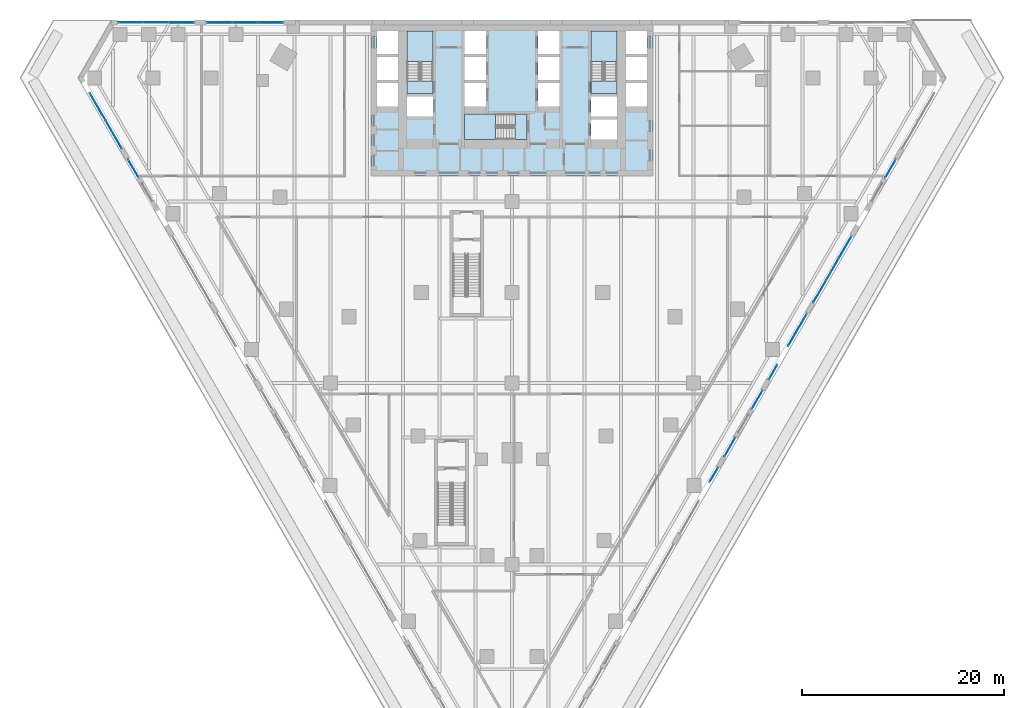
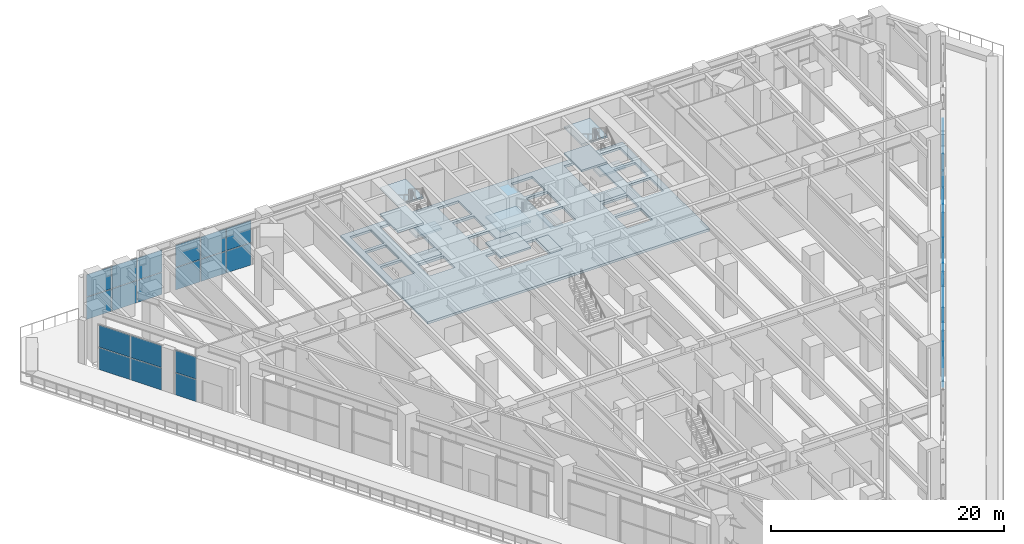
# One storey, part 19 of 30: 35 plates, 13 slabs, 14 elements without a shape of their own.
"""IFC4 building model written with IfcOpenShell, lengths in metres."""

from ifc_helpers import new_model, si_unit, direction, frame, origin, origin_2d, place, context, subcontext, project, spatial, polyline, rectangle, outline, extrude, material, layer, layer_set, type_object, element, aggregate, save


model = new_model("IFC4")

# Units and contexts
model_context = context("Model", 3, precision=1e-05, world=origin(), true_north=direction((0.0, 1.0)))
body_context = subcontext(model_context, "Body", "Model", "MODEL_VIEW")
ifc_project = project(units=[si_unit("LENGTHUNIT", "METRE"), si_unit("AREAUNIT", "SQUARE_METRE"), si_unit("VOLUMEUNIT", "CUBIC_METRE"), si_unit("PLANEANGLEUNIT", "RADIAN"), si_unit("MASSUNIT", "GRAM", prefix="KILO")], contexts=[model_context])

# Site, building, storey
site_placement = place(None, origin())
site = spatial("IfcSite", under=ifc_project, at=site_placement, CompositionType="ELEMENT")
building_placement = place(site_placement, origin())
building = spatial("IfcBuilding", under=site, at=building_placement, Name="Aloe Facet Convention Tower", CompositionType="ELEMENT")
storey_placement = place(building_placement, frame((0.0, 0.0, 19.5)))
storey = spatial("IfcBuildingStorey", under=building, at=storey_placement, Name="L03", CompositionType="ELEMENT", Elevation=19.5)

# Slabs
ifc_material_1 = material(Name="Concrete C80/95", Category="concrete")
ifc_layer_1 = layer(ifc_material_1, 0.25)
ifc_layer_set_1 = layer_set([ifc_layer_1], Name="CR-S-FLOOR250-C8095")
slab_type_1 = type_object("IfcSlabType", Name="CR-S-FLOOR250-C8095", PredefinedType="FLOOR", material=ifc_layer_set_1)
slab_1_placement = place(storey_placement, frame((0.0, 0.0, -0.25)))
element("IfcSlab", 1, at=slab_1_placement, inside=storey, type_object=slab_type_1, Name="Core floor L03", PredefinedType="FLOOR", context=body_context, shape_type="SweptSolid", body=[
    extrude(outline(polyline([(69.300048828125, 134.550048828125), (71.85009765625, 134.550048828125), (72.75, 134.550048828125), (74.699951171875, 134.550048828125), (75.60009765625, 134.550048828125), (77.10009765625, 134.550048828125), (78.0, 134.550048828125), (82.0, 134.550048828125), (82.89990234375, 134.550048828125), (84.39990234375, 134.550048828125), (85.300048828125, 134.550048828125), (87.25, 134.550048828125), (88.14990234375, 134.550048828125), (90.699951171875, 134.550048828125), (91.0, 134.550048828125), (94.0, 134.550048828125), (94.0, 131.949951171875), (94.0, 131.050048828125), (94.0, 129.35009765625), (94.0, 128.449951171875), (94.0, 126.449951171875), (94.0, 125.85009765625), (94.0, 123.57373046875), (94.0, 122.523681640625), (94.0, 119.550048828125), (91.300048828125, 119.550048828125), (90.699951171875, 119.550048828125), (89.60009765625, 119.550048828125), (88.550048828125, 119.550048828125), (87.89990234375, 119.550048828125), (86.85009765625, 119.550048828125), (85.699951171875, 119.550048828125), (84.64990234375, 119.550048828125), (83.699951171875, 119.550048828125), (82.64990234375, 119.550048828125), (81.75, 119.550048828125), (80.699951171875, 119.550048828125), (79.61669921875, 119.550048828125), (78.566650390625, 119.550048828125), (77.4833984375, 119.550048828125), (76.433349609375, 119.550048828125), (75.35009765625, 119.550048828125), (74.300048828125, 119.550048828125), (73.14990234375, 119.550048828125), (72.10009765625, 119.550048828125), (69.300048828125, 119.550048828125), (68.699951171875, 119.550048828125), (66.0, 119.550048828125), (66.0, 121.5), (66.0, 122.550048828125), (66.0, 123.639404296875), (66.0, 124.689453125), (66.0, 125.85009765625), (66.0, 126.449951171875), (66.0, 128.449951171875), (66.0, 129.35009765625), (66.0, 131.050048828125), (66.0, 131.949951171875), (66.0, 134.550048828125), (69.0, 134.550048828125), (69.300048828125, 134.550048828125)]), holes=[polyline([(75.300048828125, 123.14990234375), (80.298828125, 123.14990234375), (81.5, 123.14990234375), (81.5, 125.699951171875), (80.298828125, 125.699951171875), (75.300048828125, 125.699951171875), (75.300048828125, 123.14990234375)]), polyline([(69.60009765625, 125.449951171875), (72.14990234375, 125.449951171875), (72.14990234375, 127.449951171875), (69.60009765625, 127.449951171875), (69.60009765625, 125.449951171875)]), polyline([(66.60009765625, 126.449951171875), (68.699951171875, 126.449951171875), (68.699951171875, 128.75), (66.60009765625, 128.75), (66.60009765625, 126.449951171875)]), polyline([(75.300048828125, 126.449951171875), (77.39990234375, 126.449951171875), (77.39990234375, 128.75), (75.300048828125, 128.75), (75.300048828125, 126.449951171875)]), polyline([(66.60009765625, 129.050048828125), (68.699951171875, 129.050048828125), (68.699951171875, 131.35009765625), (66.60009765625, 131.35009765625), (66.60009765625, 129.050048828125)]), polyline([(75.300048828125, 129.050048828125), (77.39990234375, 129.050048828125), (77.39990234375, 131.35009765625), (75.300048828125, 131.35009765625), (75.300048828125, 129.050048828125)]), polyline([(69.60009765625, 133.949951171875), (69.60009765625, 128.951171875), (69.60009765625, 127.75), (72.14990234375, 127.75), (72.14990234375, 128.951171875), (72.14990234375, 133.949951171875), (69.60009765625, 133.949951171875)]), polyline([(66.60009765625, 133.949951171875), (66.60009765625, 131.64990234375), (68.699951171875, 131.64990234375), (68.699951171875, 133.949951171875), (66.60009765625, 133.949951171875)]), polyline([(75.300048828125, 133.949951171875), (75.300048828125, 131.64990234375), (77.39990234375, 131.64990234375), (77.39990234375, 133.949951171875), (75.300048828125, 133.949951171875)]), polyline([(87.85009765625, 123.14990234375), (90.39990234375, 123.14990234375), (90.39990234375, 125.14990234375), (87.85009765625, 125.14990234375), (87.85009765625, 123.14990234375)]), polyline([(87.85009765625, 125.449951171875), (90.39990234375, 125.449951171875), (90.39990234375, 127.449951171875), (87.85009765625, 127.449951171875), (87.85009765625, 125.449951171875)]), polyline([(82.60009765625, 126.449951171875), (84.699951171875, 126.449951171875), (84.699951171875, 128.75), (82.60009765625, 128.75), (82.60009765625, 126.449951171875)]), polyline([(91.300048828125, 126.449951171875), (93.39990234375, 126.449951171875), (93.39990234375, 128.75), (91.300048828125, 128.75), (91.300048828125, 126.449951171875)]), polyline([(82.60009765625, 129.050048828125), (84.699951171875, 129.050048828125), (84.699951171875, 131.35009765625), (82.60009765625, 131.35009765625), (82.60009765625, 129.050048828125)]), polyline([(91.300048828125, 129.050048828125), (93.39990234375, 129.050048828125), (93.39990234375, 131.35009765625), (91.300048828125, 131.35009765625), (91.300048828125, 129.050048828125)]), polyline([(87.85009765625, 133.949951171875), (87.85009765625, 128.951171875), (87.85009765625, 127.75), (90.39990234375, 127.75), (90.39990234375, 128.951171875), (90.39990234375, 133.949951171875), (87.85009765625, 133.949951171875)]), polyline([(82.60009765625, 133.949951171875), (82.60009765625, 131.64990234375), (84.699951171875, 131.64990234375), (84.699951171875, 133.949951171875), (82.60009765625, 133.949951171875)]), polyline([(91.300048828125, 133.949951171875), (91.300048828125, 131.64990234375), (93.39990234375, 131.64990234375), (93.39990234375, 133.949951171875), (91.300048828125, 133.949951171875)])]), origin(), (0.0, 0.0, 1.0), 0.25),
])
ifc_material_2 = material(Name="Concrete C80/95", Category="concrete")
ifc_layer_2 = layer(ifc_material_2, 0.300048828125)
ifc_layer_set_2 = layer_set([ifc_layer_2], Name="CR-S-FLOOR300-C8095")
slab_type_2 = type_object("IfcSlabType", Name="CR-S-FLOOR300-C8095", PredefinedType="FLOOR", material=ifc_layer_set_2)
slab_2_placement = place(storey_placement, frame((0.0, 0.0, -0.300048828125)))
element("IfcSlab", 2, at=slab_2_placement, inside=storey, type_object=slab_type_2, Name="Stair landing floor L03", PredefinedType="FLOOR", context=body_context, shape_type="SweptSolid", body=[
    extrude(outline(polyline([(72.14990234375, 127.75), (72.14990234375, 128.951171875), (69.60009765625, 128.951171875), (69.60009765625, 127.75), (72.14990234375, 127.75)])), origin(), (0.0, 0.0, 1.0), 0.300048828125),
])
slab_3_placement = place(storey_placement, frame((0.0, 0.0, -0.300048828125)))
element("IfcSlab", 3, at=slab_3_placement, inside=storey, type_object=slab_type_2, Name="Stair landing floor L03", PredefinedType="FLOOR", context=body_context, shape_type="SweptSolid", body=[
    extrude(outline(polyline([(90.39990234375, 127.75), (90.39990234375, 128.951171875), (87.85009765625, 128.951171875), (87.85009765625, 127.75), (90.39990234375, 127.75)])), origin(), (0.0, 0.0, 1.0), 0.300048828125),
])
slab_4_placement = place(storey_placement, frame((0.0, 0.0, -0.300048828125)))
element("IfcSlab", 4, at=slab_4_placement, inside=storey, type_object=slab_type_2, Name="Stair landing floor L03", PredefinedType="FLOOR", context=body_context, shape_type="SweptSolid", body=[
    extrude(outline(polyline([(81.5, 125.699951171875), (80.298828125, 125.699951171875), (80.298828125, 123.14990234375), (81.5, 123.14990234375), (81.5, 125.699951171875)])), origin(), (0.0, 0.0, 1.0), 0.300048828125),
])

# Stair, slabs
ifc_material_3 = material(Name="Concrete C50/60", Category="concrete")
stair_type = type_object("IfcStairType", Name="CR-ST-32R", PredefinedType="HALF_TURN_STAIR", material=ifc_material_3)
stair_1_placement = place(storey_placement, origin())
stair_1 = element("IfcStair", 5, at=stair_1_placement, inside=storey, type_object=stair_type, Name="L03 Protected exit stair ST1", PredefinedType="HALF_TURN_STAIR")
ifc_material_4 = material(Name="Concrete C50/60", Category="concrete")
ifc_layer_3 = layer(ifc_material_4, 0.199951171875)
ifc_layer_set_3 = layer_set([ifc_layer_3], Name="CR-SL-LANDING")
slab_type_3 = type_object("IfcSlabType", Name="CR-SL-LANDING", PredefinedType="LANDING", material=ifc_layer_set_3)
slab_5_placement = place(storey_placement, frame((0.0, 0.0, 1.175048828125)))
slab_5 = element("IfcSlab", 6, at=slab_5_placement, type_object=slab_type_3, Name="ST1 landing 1", PredefinedType="LANDING", context=body_context, shape_type="SweptSolid", body=[
    extrude(outline(polyline([(72.14990234375, 130.909912109375), (72.14990234375, 133.949951171875), (69.60009765625, 133.949951171875), (69.60009765625, 130.909912109375), (72.14990234375, 130.909912109375)])), origin(), (0.0, 0.0, 1.0), 0.199951171875),
])
slab_6_placement = place(storey_placement, frame((0.0, 0.0, 2.550048828125)))
slab_6 = element("IfcSlab", 7, at=slab_6_placement, type_object=slab_type_3, Name="ST1 landing 2", PredefinedType="LANDING", context=body_context, shape_type="SweptSolid", body=[
    extrude(outline(polyline([(72.14990234375, 127.75), (72.14990234375, 128.949951171875), (69.60009765625, 128.949951171875), (69.60009765625, 127.75), (72.14990234375, 127.75)])), origin(), (0.0, 0.0, 1.0), 0.199951171875),
])
slab_7_placement = place(storey_placement, frame((0.0, 0.0, 3.925048828125)))
slab_7 = element("IfcSlab", 8, at=slab_7_placement, type_object=slab_type_3, Name="ST1 landing 3", PredefinedType="LANDING", context=body_context, shape_type="SweptSolid", body=[
    extrude(outline(polyline([(72.14990234375, 130.909912109375), (72.14990234375, 133.949951171875), (69.60009765625, 133.949951171875), (69.60009765625, 130.909912109375), (72.14990234375, 130.909912109375)])), origin(), (0.0, 0.0, 1.0), 0.199951171875),
])
aggregate(stair_1, [slab_5, slab_6, slab_7])

stair_2_placement = place(storey_placement, origin())
stair_2 = element("IfcStair", 9, at=stair_2_placement, inside=storey, type_object=stair_type, Name="L03 Protected exit stair ST2", PredefinedType="HALF_TURN_STAIR")
slab_8_placement = place(storey_placement, frame((0.0, 0.0, 1.175048828125)))
slab_8 = element("IfcSlab", 10, at=slab_8_placement, type_object=slab_type_3, Name="ST2 landing 1", PredefinedType="LANDING", context=body_context, shape_type="SweptSolid", body=[
    extrude(outline(polyline([(90.39990234375, 130.909912109375), (90.39990234375, 133.949951171875), (87.85009765625, 133.949951171875), (87.85009765625, 130.909912109375), (90.39990234375, 130.909912109375)])), origin(), (0.0, 0.0, 1.0), 0.199951171875),
])
slab_9_placement = place(storey_placement, frame((0.0, 0.0, 2.550048828125)))
slab_9 = element("IfcSlab", 11, at=slab_9_placement, type_object=slab_type_3, Name="ST2 landing 2", PredefinedType="LANDING", context=body_context, shape_type="SweptSolid", body=[
    extrude(outline(polyline([(90.39990234375, 127.75), (90.39990234375, 128.949951171875), (87.85009765625, 128.949951171875), (87.85009765625, 127.75), (90.39990234375, 127.75)])), origin(), (0.0, 0.0, 1.0), 0.199951171875),
])
slab_10_placement = place(storey_placement, frame((0.0, 0.0, 3.925048828125)))
slab_10 = element("IfcSlab", 12, at=slab_10_placement, type_object=slab_type_3, Name="ST2 landing 3", PredefinedType="LANDING", context=body_context, shape_type="SweptSolid", body=[
    extrude(outline(polyline([(90.39990234375, 130.909912109375), (90.39990234375, 133.949951171875), (87.85009765625, 133.949951171875), (87.85009765625, 130.909912109375), (90.39990234375, 130.909912109375)])), origin(), (0.0, 0.0, 1.0), 0.199951171875),
])
aggregate(stair_2, [slab_8, slab_9, slab_10])

stair_3_placement = place(storey_placement, origin())
stair_3 = element("IfcStair", 13, at=stair_3_placement, inside=storey, type_object=stair_type, Name="L03 Protected exit stair ST3", PredefinedType="HALF_TURN_STAIR")
slab_11_placement = place(storey_placement, frame((0.0, 0.0, 1.175048828125)))
slab_11 = element("IfcSlab", 14, at=slab_11_placement, type_object=slab_type_3, Name="ST3 landing 1", PredefinedType="LANDING", context=body_context, shape_type="SweptSolid", body=[
    extrude(outline(polyline([(78.340087890625, 125.699951171875), (75.300048828125, 125.699951171875), (75.300048828125, 123.14990234375), (78.340087890625, 123.14990234375), (78.340087890625, 125.699951171875)])), origin(), (0.0, 0.0, 1.0), 0.199951171875),
])
slab_12_placement = place(storey_placement, frame((0.0, 0.0, 2.550048828125)))
slab_12 = element("IfcSlab", 15, at=slab_12_placement, type_object=slab_type_3, Name="ST3 landing 2", PredefinedType="LANDING", context=body_context, shape_type="SweptSolid", body=[
    extrude(outline(polyline([(81.5, 125.699951171875), (80.300048828125, 125.699951171875), (80.300048828125, 123.14990234375), (81.5, 123.14990234375), (81.5, 125.699951171875)])), origin(), (0.0, 0.0, 1.0), 0.199951171875),
])
slab_13_placement = place(storey_placement, frame((0.0, 0.0, 3.925048828125)))
slab_13 = element("IfcSlab", 16, at=slab_13_placement, type_object=slab_type_3, Name="ST3 landing 3", PredefinedType="LANDING", context=body_context, shape_type="SweptSolid", body=[
    extrude(outline(polyline([(78.340087890625, 125.699951171875), (75.300048828125, 125.699951171875), (75.300048828125, 123.14990234375), (78.340087890625, 123.14990234375), (78.340087890625, 125.699951171875)])), origin(), (0.0, 0.0, 1.0), 0.199951171875),
])
aggregate(stair_3, [slab_11, slab_12, slab_13])

# Curtain wall, plates
ifc_material_5 = material(Name="Aluminium, anodised", Category="aluminium")
curtain_wall_type = type_object("IfcCurtainWallType", Name="EV-CW-HALL", PredefinedType="USERDEFINED", material=ifc_material_5)
curtain_wall_1_placement = place(storey_placement, origin())
curtain_wall_1 = element("IfcCurtainWall", 17, at=curtain_wall_1_placement, inside=storey, type_object=curtain_wall_type, Name="CW-L03-N16", ObjectType="UNITISED HALL GLAZING", PredefinedType="USERDEFINED")
ifc_material_6 = material(Name="Clear double glazing", Category="glass")
ifc_layer_4 = layer(ifc_material_6, 0.035888671875)
ifc_layer_set_4 = layer_set([ifc_layer_4], Name="EV-PANEL-HALL")
plate_type = type_object("IfcPlateType", Name="EV-PANEL-HALL", PredefinedType="CURTAIN_PANEL", material=ifc_layer_set_4)
plate_1_placement = place(storey_placement, frame((56.045654296875, 134.77490234375, -0.18505859375), z_axis=(0.0, 0.0, 1.0), x_axis=(-1.0, 0.0, 0.0)))
plate_1 = element("IfcPlate", 18, at=plate_1_placement, type_object=plate_type, Name="CW-L03-N16 panel 1.1", PredefinedType="CURTAIN_PANEL", context=body_context, shape_type="SweptSolid", body=[
    extrude(rectangle(XDim=2.44482421875, YDim=0.035888671875, at=origin_2d()), origin(), (0.0, 0.0, 1.0), 2.308837890625),
])
plate_2_placement = place(storey_placement, frame((56.045654296875, 134.77490234375, 2.1884765625), z_axis=(0.0, 0.0, 1.0), x_axis=(-1.0, 0.0, 0.0)))
plate_2 = element("IfcPlate", 19, at=plate_2_placement, type_object=plate_type, Name="CW-L03-N16 panel 1.2", PredefinedType="CURTAIN_PANEL", context=body_context, shape_type="SweptSolid", body=[
    extrude(rectangle(XDim=2.44482421875, YDim=0.035888671875, at=origin_2d()), origin(), (0.0, 0.0, 1.0), 2.308837890625),
])
plate_3_placement = place(storey_placement, frame((53.519775390625, 134.77490234375, -0.18505859375), z_axis=(0.0, 0.0, 1.0), x_axis=(-1.0, 0.0, 0.0)))
plate_3 = element("IfcPlate", 20, at=plate_3_placement, type_object=plate_type, Name="CW-L03-N16 panel 2.1", PredefinedType="CURTAIN_PANEL", context=body_context, shape_type="SweptSolid", body=[
    extrude(rectangle(XDim=2.477294921875, YDim=0.035888671875, at=origin_2d()), origin(), (0.0, 0.0, 1.0), 2.308837890625),
])
plate_4_placement = place(storey_placement, frame((53.519775390625, 134.77490234375, 2.1884765625), z_axis=(0.0, 0.0, 1.0), x_axis=(-1.0, 0.0, 0.0)))
plate_4 = element("IfcPlate", 21, at=plate_4_placement, type_object=plate_type, Name="CW-L03-N16 panel 2.2", PredefinedType="CURTAIN_PANEL", context=body_context, shape_type="SweptSolid", body=[
    extrude(rectangle(XDim=2.477294921875, YDim=0.035888671875, at=origin_2d()), origin(), (0.0, 0.0, 1.0), 2.308837890625),
])
plate_5_placement = place(storey_placement, frame((50.99365234375, 134.77490234375, -0.18505859375), z_axis=(0.0, 0.0, 1.0), x_axis=(-1.0, 0.0, 0.0)))
plate_5 = element("IfcPlate", 22, at=plate_5_placement, type_object=plate_type, Name="CW-L03-N16 panel 3.1", PredefinedType="CURTAIN_PANEL", context=body_context, shape_type="SweptSolid", body=[
    extrude(rectangle(XDim=2.44482421875, YDim=0.035888671875, at=origin_2d()), origin(), (0.0, 0.0, 1.0), 2.308837890625),
])
plate_6_placement = place(storey_placement, frame((50.99365234375, 134.77490234375, 2.1884765625), z_axis=(0.0, 0.0, 1.0), x_axis=(-1.0, 0.0, 0.0)))
plate_6 = element("IfcPlate", 23, at=plate_6_placement, type_object=plate_type, Name="CW-L03-N16 panel 3.2", PredefinedType="CURTAIN_PANEL", context=body_context, shape_type="SweptSolid", body=[
    extrude(rectangle(XDim=2.44482421875, YDim=0.035888671875, at=origin_2d()), origin(), (0.0, 0.0, 1.0), 2.308837890625),
])
aggregate(curtain_wall_1, [plate_1, plate_2, plate_3, plate_4, plate_5, plate_6])

curtain_wall_2_placement = place(storey_placement, origin())
curtain_wall_2 = element("IfcCurtainWall", 24, at=curtain_wall_2_placement, inside=storey, type_object=curtain_wall_type, Name="CW-L03-N18", ObjectType="UNITISED HALL GLAZING", PredefinedType="USERDEFINED")
plate_7_placement = place(storey_placement, frame((47.218994140625, 134.77490234375, -0.18505859375), z_axis=(0.0, 0.0, 1.0), x_axis=(-1.0, 0.0, 0.0)))
plate_7 = element("IfcPlate", 25, at=plate_7_placement, type_object=plate_type, Name="CW-L03-N18 panel 1.1", PredefinedType="CURTAIN_PANEL", context=body_context, shape_type="SweptSolid", body=[
    extrude(rectangle(XDim=2.44482421875, YDim=0.035888671875, at=origin_2d()), origin(), (0.0, 0.0, 1.0), 2.308837890625),
])
plate_8_placement = place(storey_placement, frame((47.218994140625, 134.77490234375, 2.1884765625), z_axis=(0.0, 0.0, 1.0), x_axis=(-1.0, 0.0, 0.0)))
plate_8 = element("IfcPlate", 26, at=plate_8_placement, type_object=plate_type, Name="CW-L03-N18 panel 1.2", PredefinedType="CURTAIN_PANEL", context=body_context, shape_type="SweptSolid", body=[
    extrude(rectangle(XDim=2.44482421875, YDim=0.035888671875, at=origin_2d()), origin(), (0.0, 0.0, 1.0), 2.308837890625),
])
plate_9_placement = place(storey_placement, frame((44.69287109375, 134.77490234375, -0.18505859375), z_axis=(0.0, 0.0, 1.0), x_axis=(-1.0, 0.0, 0.0)))
plate_9 = element("IfcPlate", 27, at=plate_9_placement, type_object=plate_type, Name="CW-L03-N18 panel 2.1", PredefinedType="CURTAIN_PANEL", context=body_context, shape_type="SweptSolid", body=[
    extrude(rectangle(XDim=2.477294921875, YDim=0.035888671875, at=origin_2d()), origin(), (0.0, 0.0, 1.0), 2.308837890625),
])
plate_10_placement = place(storey_placement, frame((44.69287109375, 134.77490234375, 2.1884765625), z_axis=(0.0, 0.0, 1.0), x_axis=(-1.0, 0.0, 0.0)))
plate_10 = element("IfcPlate", 28, at=plate_10_placement, type_object=plate_type, Name="CW-L03-N18 panel 2.2", PredefinedType="CURTAIN_PANEL", context=body_context, shape_type="SweptSolid", body=[
    extrude(rectangle(XDim=2.477294921875, YDim=0.035888671875, at=origin_2d()), origin(), (0.0, 0.0, 1.0), 2.308837890625),
])
plate_11_placement = place(storey_placement, frame((42.1669921875, 134.77490234375, -0.18505859375), z_axis=(0.0, 0.0, 1.0), x_axis=(-1.0, 0.0, 0.0)))
plate_11 = element("IfcPlate", 29, at=plate_11_placement, type_object=plate_type, Name="CW-L03-N18 panel 3.1", PredefinedType="CURTAIN_PANEL", context=body_context, shape_type="SweptSolid", body=[
    extrude(rectangle(XDim=2.44482421875, YDim=0.035888671875, at=origin_2d()), origin(), (0.0, 0.0, 1.0), 2.308837890625),
])
plate_12_placement = place(storey_placement, frame((42.1669921875, 134.77490234375, 2.1884765625), z_axis=(0.0, 0.0, 1.0), x_axis=(-1.0, 0.0, 0.0)))
plate_12 = element("IfcPlate", 30, at=plate_12_placement, type_object=plate_type, Name="CW-L03-N18 panel 3.2", PredefinedType="CURTAIN_PANEL", context=body_context, shape_type="SweptSolid", body=[
    extrude(rectangle(XDim=2.44482421875, YDim=0.035888671875, at=origin_2d()), origin(), (0.0, 0.0, 1.0), 2.308837890625),
])
aggregate(curtain_wall_2, [plate_7, plate_8, plate_9, plate_10, plate_11, plate_12])

curtain_wall_3_placement = place(storey_placement, origin())
curtain_wall_3 = element("IfcCurtainWall", 31, at=curtain_wall_3_placement, inside=storey, type_object=curtain_wall_type, Name="CW-L03-W02", ObjectType="UNITISED HALL GLAZING", PredefinedType="USERDEFINED")
plate_13_placement = place(storey_placement, frame((38.898193359375, 126.410888671875, -0.18505859375), z_axis=(0.0, 0.0, 1.0), x_axis=(0.499999999894, -0.866025403846, 0.0)))
plate_13 = element("IfcPlate", 32, at=plate_13_placement, type_object=plate_type, Name="CW-L03-W02 panel 1.1", PredefinedType="CURTAIN_PANEL", context=body_context, shape_type="SweptSolid", body=[
    extrude(rectangle(XDim=3.099365234375, YDim=0.035888671875, at=origin_2d()), origin(), (0.0, 0.0, 1.0), 2.308837890625),
])
plate_14_placement = place(storey_placement, frame((38.898193359375, 126.410888671875, 2.1884765625), z_axis=(0.0, 0.0, 1.0), x_axis=(0.499999999894, -0.866025403846, 0.0)))
plate_14 = element("IfcPlate", 33, at=plate_14_placement, type_object=plate_type, Name="CW-L03-W02 panel 1.2", PredefinedType="CURTAIN_PANEL", context=body_context, shape_type="SweptSolid", body=[
    extrude(rectangle(XDim=3.099365234375, YDim=0.035888671875, at=origin_2d()), origin(), (0.0, 0.0, 1.0), 2.308837890625),
])
plate_15_placement = place(storey_placement, frame((40.48046875, 123.67041015625, -0.18505859375), z_axis=(0.0, 0.0, 1.0), x_axis=(0.499999999894, -0.866025403846, 0.0)))
plate_15 = element("IfcPlate", 34, at=plate_15_placement, type_object=plate_type, Name="CW-L03-W02 panel 2.1", PredefinedType="CURTAIN_PANEL", context=body_context, shape_type="SweptSolid", body=[
    extrude(rectangle(XDim=3.099365234375, YDim=0.035888671875, at=origin_2d()), origin(), (0.0, 0.0, 1.0), 2.308837890625),
])
plate_16_placement = place(storey_placement, frame((40.48046875, 123.67041015625, 2.1884765625), z_axis=(0.0, 0.0, 1.0), x_axis=(0.499999999894, -0.866025403846, 0.0)))
plate_16 = element("IfcPlate", 35, at=plate_16_placement, type_object=plate_type, Name="CW-L03-W02 panel 2.2", PredefinedType="CURTAIN_PANEL", context=body_context, shape_type="SweptSolid", body=[
    extrude(rectangle(XDim=3.099365234375, YDim=0.035888671875, at=origin_2d()), origin(), (0.0, 0.0, 1.0), 2.308837890625),
])
aggregate(curtain_wall_3, [plate_13, plate_14, plate_15, plate_16])

curtain_wall_4_placement = place(storey_placement, origin())
curtain_wall_4 = element("IfcCurtainWall", 36, at=curtain_wall_4_placement, inside=storey, type_object=curtain_wall_type, Name="CW-L03-W04A", ObjectType="UNITISED HALL GLAZING", PredefinedType="USERDEFINED")
plate_17_placement = place(storey_placement, frame((42.441162109375, 120.2744140625, -0.18505859375), z_axis=(0.0, 0.0, 1.0), x_axis=(0.50000000003, -0.866025403767, 0.0)))
plate_17 = element("IfcPlate", 37, at=plate_17_placement, type_object=plate_type, Name="CW-L03-W04A panel 1.1", PredefinedType="CURTAIN_PANEL", context=body_context, shape_type="SweptSolid", body=[
    extrude(rectangle(XDim=2.08349609375, YDim=0.035888671875, at=origin_2d()), origin(), (0.0, 0.0, 1.0), 2.308837890625),
])
plate_18_placement = place(storey_placement, frame((42.441162109375, 120.2744140625, 2.1884765625), z_axis=(0.0, 0.0, 1.0), x_axis=(0.50000000003, -0.866025403767, 0.0)))
plate_18 = element("IfcPlate", 38, at=plate_18_placement, type_object=plate_type, Name="CW-L03-W04A panel 1.2", PredefinedType="CURTAIN_PANEL", context=body_context, shape_type="SweptSolid", body=[
    extrude(rectangle(XDim=2.08349609375, YDim=0.035888671875, at=origin_2d()), origin(), (0.0, 0.0, 1.0), 2.308837890625),
])
aggregate(curtain_wall_4, [plate_17, plate_18])

curtain_wall_5_placement = place(storey_placement, origin())
curtain_wall_5 = element("IfcCurtainWall", 39, at=curtain_wall_5_placement, inside=storey, type_object=curtain_wall_type, Name="CW-L03-E08-2", ObjectType="UNITISED HALL GLAZING", PredefinedType="USERDEFINED")
plate_19_placement = place(storey_placement, frame((100.0224609375, 89.900634765625, -0.18505859375), z_axis=(0.0, 0.0, 1.0), x_axis=(0.500000000438, 0.866025403531, 0.0)))
plate_19 = element("IfcPlate", 40, at=plate_19_placement, type_object=plate_type, Name="CW-L03-E08-2 panel 1.1", PredefinedType="CURTAIN_PANEL", context=body_context, shape_type="SweptSolid", body=[
    extrude(rectangle(XDim=1.61474609375, YDim=0.035888671875, at=origin_2d()), origin(), (0.0, 0.0, 1.0), 2.308837890625),
])
plate_20_placement = place(storey_placement, frame((100.0224609375, 89.900634765625, 2.1884765625), z_axis=(0.0, 0.0, 1.0), x_axis=(0.500000000438, 0.866025403531, 0.0)))
plate_20 = element("IfcPlate", 41, at=plate_20_placement, type_object=plate_type, Name="CW-L03-E08-2 panel 1.2", PredefinedType="CURTAIN_PANEL", context=body_context, shape_type="SweptSolid", body=[
    extrude(rectangle(XDim=1.61474609375, YDim=0.035888671875, at=origin_2d()), origin(), (0.0, 0.0, 1.0), 2.308837890625),
])
aggregate(curtain_wall_5, [plate_19, plate_20])

curtain_wall_6_placement = place(storey_placement, origin())
curtain_wall_6 = element("IfcCurtainWall", 42, at=curtain_wall_6_placement, inside=storey, type_object=curtain_wall_type, Name="CW-L03-E10A", ObjectType="UNITISED HALL GLAZING", PredefinedType="USERDEFINED")
plate_21_placement = place(storey_placement, frame((101.612060546875, 92.65380859375, -0.18505859375), z_axis=(0.0, 0.0, 1.0), x_axis=(0.50000000003, 0.866025403767, 0.0)))
plate_21 = element("IfcPlate", 43, at=plate_21_placement, type_object=plate_type, Name="CW-L03-E10A panel 1.1", PredefinedType="CURTAIN_PANEL", context=body_context, shape_type="SweptSolid", body=[
    extrude(rectangle(XDim=2.08349609375, YDim=0.035888671875, at=origin_2d()), origin(), (0.0, 0.0, 1.0), 2.308837890625),
])
plate_22_placement = place(storey_placement, frame((101.612060546875, 92.65380859375, 2.1884765625), z_axis=(0.0, 0.0, 1.0), x_axis=(0.50000000003, 0.866025403767, 0.0)))
plate_22 = element("IfcPlate", 44, at=plate_22_placement, type_object=plate_type, Name="CW-L03-E10A panel 1.2", PredefinedType="CURTAIN_PANEL", context=body_context, shape_type="SweptSolid", body=[
    extrude(rectangle(XDim=2.08349609375, YDim=0.035888671875, at=origin_2d()), origin(), (0.0, 0.0, 1.0), 2.308837890625),
])
aggregate(curtain_wall_6, [plate_21, plate_22])

curtain_wall_7_placement = place(storey_placement, origin())
curtain_wall_7 = element("IfcCurtainWall", 45, at=curtain_wall_7_placement, inside=storey, type_object=curtain_wall_type, Name="CW-L03-E10B", ObjectType="UNITISED HALL GLAZING", PredefinedType="USERDEFINED")
plate_23_placement = place(storey_placement, frame((104.31884765625, 97.341796875, -0.18505859375), z_axis=(0.0, 0.0, 1.0), x_axis=(0.499999999834, 0.86602540388, 0.0)))
plate_23 = element("IfcPlate", 46, at=plate_23_placement, type_object=plate_type, Name="CW-L03-E10B panel 1.1", PredefinedType="CURTAIN_PANEL", context=body_context, shape_type="SweptSolid", body=[
    extrude(rectangle(XDim=2.08349609375, YDim=0.035888671875, at=origin_2d()), origin(), (0.0, 0.0, 1.0), 2.308837890625),
])
plate_24_placement = place(storey_placement, frame((104.31884765625, 97.341796875, 2.1884765625), z_axis=(0.0, 0.0, 1.0), x_axis=(0.499999999834, 0.86602540388, 0.0)))
plate_24 = element("IfcPlate", 47, at=plate_24_placement, type_object=plate_type, Name="CW-L03-E10B panel 1.2", PredefinedType="CURTAIN_PANEL", context=body_context, shape_type="SweptSolid", body=[
    extrude(rectangle(XDim=2.08349609375, YDim=0.035888671875, at=origin_2d()), origin(), (0.0, 0.0, 1.0), 2.308837890625),
])
aggregate(curtain_wall_7, [plate_23, plate_24])

curtain_wall_8_placement = place(storey_placement, origin())
curtain_wall_8 = element("IfcCurtainWall", 48, at=curtain_wall_8_placement, inside=storey, type_object=curtain_wall_type, Name="CW-L03-E12-1", ObjectType="UNITISED HALL GLAZING", PredefinedType="USERDEFINED")
plate_25_placement = place(storey_placement, frame((105.908203125, 100.094970703125, -0.18505859375), z_axis=(0.0, 0.0, 1.0), x_axis=(0.499999999894, 0.866025403846, 0.0)))
plate_25 = element("IfcPlate", 49, at=plate_25_placement, type_object=plate_type, Name="CW-L03-E12-1 panel 1.1", PredefinedType="CURTAIN_PANEL", context=body_context, shape_type="SweptSolid", body=[
    extrude(rectangle(XDim=1.614501953125, YDim=0.035888671875, at=origin_2d()), origin(), (0.0, 0.0, 1.0), 2.308837890625),
])
plate_26_placement = place(storey_placement, frame((105.908203125, 100.094970703125, 2.1884765625), z_axis=(0.0, 0.0, 1.0), x_axis=(0.499999999894, 0.866025403846, 0.0)))
plate_26 = element("IfcPlate", 50, at=plate_26_placement, type_object=plate_type, Name="CW-L03-E12-1 panel 1.2", PredefinedType="CURTAIN_PANEL", context=body_context, shape_type="SweptSolid", body=[
    extrude(rectangle(XDim=1.614501953125, YDim=0.035888671875, at=origin_2d()), origin(), (0.0, 0.0, 1.0), 2.308837890625),
])
aggregate(curtain_wall_8, [plate_25, plate_26])

curtain_wall_9_placement = place(storey_placement, origin())
curtain_wall_9 = element("IfcCurtainWall", 51, at=curtain_wall_9_placement, inside=storey, type_object=curtain_wall_type, Name="CW-L03-E12-2", ObjectType="UNITISED HALL GLAZING", PredefinedType="USERDEFINED")
plate_27_placement = place(storey_placement, frame((108.3271484375, 104.28466796875, -0.18505859375), z_axis=(0.0, 0.0, 1.0), x_axis=(0.49999999997, 0.866025403802, 0.0)))
plate_27 = element("IfcPlate", 52, at=plate_27_placement, type_object=plate_type, Name="CW-L03-E12-2 panel 1.1", PredefinedType="CURTAIN_PANEL", context=body_context, shape_type="SweptSolid", body=[
    extrude(rectangle(XDim=3.703369140625, YDim=0.035888671875, at=origin_2d()), origin(), (0.0, 0.0, 1.0), 2.308837890625),
])
plate_28_placement = place(storey_placement, frame((108.3271484375, 104.28466796875, 2.1884765625), z_axis=(0.0, 0.0, 1.0), x_axis=(0.49999999997, 0.866025403802, 0.0)))
plate_28 = element("IfcPlate", 53, at=plate_28_placement, type_object=plate_type, Name="CW-L03-E12-2 panel 1.2", PredefinedType="CURTAIN_PANEL", context=body_context, shape_type="SweptSolid", body=[
    extrude(rectangle(XDim=3.703369140625, YDim=0.035888671875, at=origin_2d()), origin(), (0.0, 0.0, 1.0), 2.308837890625),
])
aggregate(curtain_wall_9, [plate_27, plate_28])

curtain_wall_10_placement = place(storey_placement, origin())
curtain_wall_10 = element("IfcCurtainWall", 54, at=curtain_wall_10_placement, inside=storey, type_object=curtain_wall_type, Name="CW-L03-E14", ObjectType="UNITISED HALL GLAZING", PredefinedType="USERDEFINED")
plate_29_placement = place(storey_placement, frame((110.529052734375, 108.0986328125, -0.18505859375), z_axis=(0.0, 0.0, 1.0), x_axis=(0.49999999997, 0.866025403802, 0.0)))
plate_29 = element("IfcPlate", 55, at=plate_29_placement, type_object=plate_type, Name="CW-L03-E14 panel 1.1", PredefinedType="CURTAIN_PANEL", context=body_context, shape_type="SweptSolid", body=[
    extrude(rectangle(XDim=2.44482421875, YDim=0.035888671875, at=origin_2d()), origin(), (0.0, 0.0, 1.0), 2.308837890625),
])
plate_30_placement = place(storey_placement, frame((110.529052734375, 108.0986328125, 2.1884765625), z_axis=(0.0, 0.0, 1.0), x_axis=(0.49999999997, 0.866025403802, 0.0)))
plate_30 = element("IfcPlate", 56, at=plate_30_placement, type_object=plate_type, Name="CW-L03-E14 panel 1.2", PredefinedType="CURTAIN_PANEL", context=body_context, shape_type="SweptSolid", body=[
    extrude(rectangle(XDim=2.44482421875, YDim=0.035888671875, at=origin_2d()), origin(), (0.0, 0.0, 1.0), 2.308837890625),
])
plate_31_placement = place(storey_placement, frame((111.792236328125, 110.2861328125, -0.18505859375), z_axis=(0.0, 0.0, 1.0), x_axis=(0.49999999997, 0.866025403802, 0.0)))
plate_31 = element("IfcPlate", 57, at=plate_31_placement, type_object=plate_type, Name="CW-L03-E14 panel 2.1", PredefinedType="CURTAIN_PANEL", context=body_context, shape_type="SweptSolid", body=[
    extrude(rectangle(XDim=2.477294921875, YDim=0.035888671875, at=origin_2d()), origin(), (0.0, 0.0, 1.0), 2.308837890625),
])
plate_32_placement = place(storey_placement, frame((111.792236328125, 110.2861328125, 2.1884765625), z_axis=(0.0, 0.0, 1.0), x_axis=(0.49999999997, 0.866025403802, 0.0)))
plate_32 = element("IfcPlate", 58, at=plate_32_placement, type_object=plate_type, Name="CW-L03-E14 panel 2.2", PredefinedType="CURTAIN_PANEL", context=body_context, shape_type="SweptSolid", body=[
    extrude(rectangle(XDim=2.477294921875, YDim=0.035888671875, at=origin_2d()), origin(), (0.0, 0.0, 1.0), 2.308837890625),
])
plate_33_placement = place(storey_placement, frame((113.05517578125, 112.473876953125, -0.18505859375), z_axis=(0.0, 0.0, 1.0), x_axis=(0.49999999997, 0.866025403802, 0.0)))
plate_33 = element("IfcPlate", 59, at=plate_33_placement, type_object=plate_type, Name="CW-L03-E14 panel 3.1", PredefinedType="CURTAIN_PANEL", context=body_context, shape_type="SweptSolid", body=[
    extrude(rectangle(XDim=2.44482421875, YDim=0.035888671875, at=origin_2d()), origin(), (0.0, 0.0, 1.0), 2.308837890625),
])
plate_34_placement = place(storey_placement, frame((113.05517578125, 112.473876953125, 2.1884765625), z_axis=(0.0, 0.0, 1.0), x_axis=(0.49999999997, 0.866025403802, 0.0)))
plate_34 = element("IfcPlate", 60, at=plate_34_placement, type_object=plate_type, Name="CW-L03-E14 panel 3.2", PredefinedType="CURTAIN_PANEL", context=body_context, shape_type="SweptSolid", body=[
    extrude(rectangle(XDim=2.44482421875, YDim=0.035888671875, at=origin_2d()), origin(), (0.0, 0.0, 1.0), 2.308837890625),
])
aggregate(curtain_wall_10, [plate_29, plate_30, plate_31, plate_32, plate_33, plate_34])

# Curtain wall, plate
curtain_wall_11_placement = place(storey_placement, origin())
curtain_wall_11 = element("IfcCurtainWall", 61, at=curtain_wall_11_placement, inside=storey, type_object=curtain_wall_type, Name="CW-L03-E16B", ObjectType="UNITISED HALL GLAZING", PredefinedType="USERDEFINED")
plate_35_placement = place(storey_placement, frame((117.558837890625, 120.2744140625, -0.18505859375), z_axis=(0.0, 0.0, 1.0), x_axis=(0.50000000003, 0.866025403767, 0.0)))
plate_35 = element("IfcPlate", 62, at=plate_35_placement, type_object=plate_type, Name="CW-L03-E16B panel 1.1", PredefinedType="CURTAIN_PANEL", context=body_context, shape_type="SweptSolid", body=[
    extrude(rectangle(XDim=2.08349609375, YDim=0.035888671875, at=origin_2d()), origin(), (0.0, 0.0, 1.0), 2.308837890625),
])
aggregate(curtain_wall_11, [plate_35])

save(model, "model.ifc")
